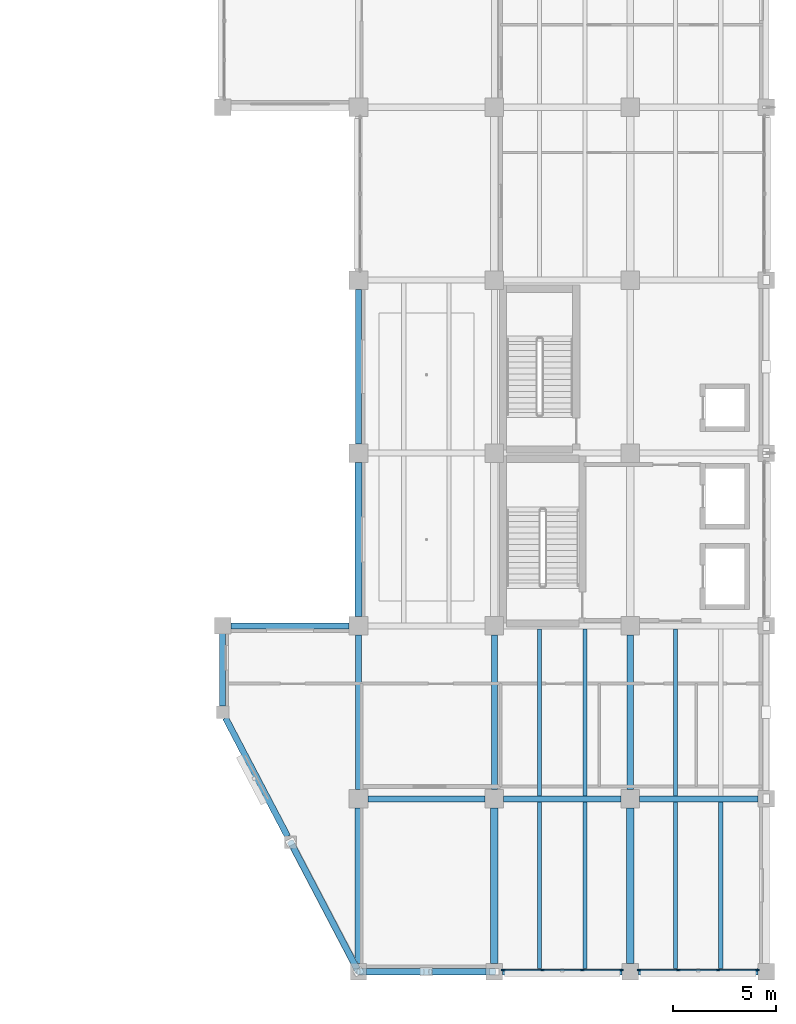
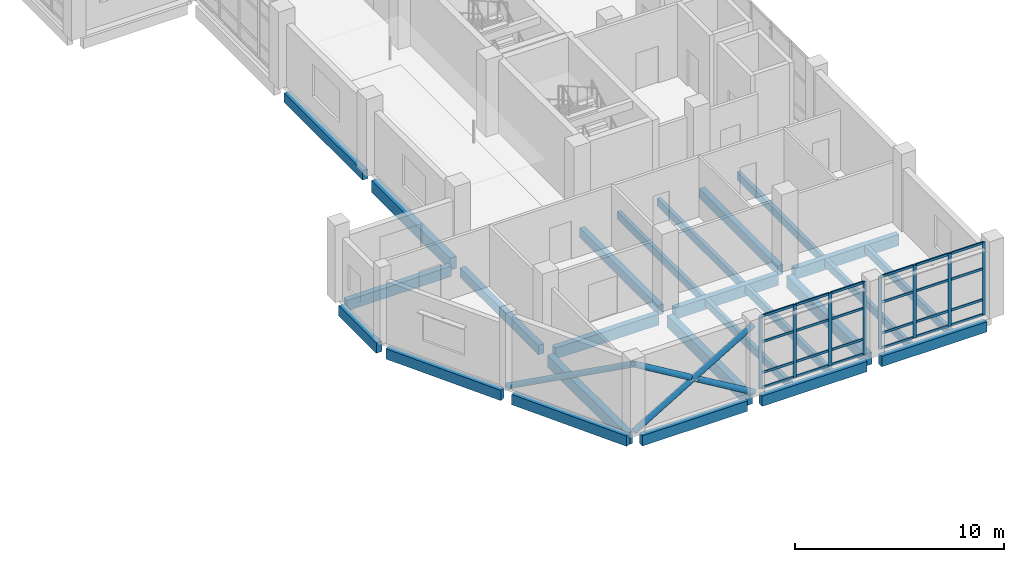
# One storey, part 17 of 76: 36 members, 25 beams, 2 elements without a shape of their own.
"""IFC4 building model written with IfcOpenShell, lengths in metres."""

from ifc_helpers import new_model, si_unit, direction, frame, origin, origin_2d, place, context, subcontext, project, spatial, rectangle, hollow_circle, extrude, material, material_profile, profile_set, type_object, element, aggregate, save


model = new_model("IFC4")

# Units and contexts
model_context = context("Model", 3, precision=1e-05, world=origin(), true_north=direction((0.0, 1.0)))
body_context = subcontext(model_context, "Body", "Model", "MODEL_VIEW")
ifc_project = project(units=[si_unit("LENGTHUNIT", "METRE"), si_unit("AREAUNIT", "SQUARE_METRE"), si_unit("VOLUMEUNIT", "CUBIC_METRE"), si_unit("PLANEANGLEUNIT", "RADIAN"), si_unit("MASSUNIT", "GRAM", prefix="KILO")], contexts=[model_context])

# Site, building, storey
site_placement = place(None, origin())
site = spatial("IfcSite", under=ifc_project, at=site_placement, CompositionType="ELEMENT")
building_placement = place(site_placement, origin())
building = spatial("IfcBuilding", under=site, at=building_placement, Name="Qaldarim Faculty of Natural and Applied Sciences", CompositionType="ELEMENT")
storey_placement = place(building_placement, frame((0.0, 0.0, 9.89990234375)))
storey = spatial("IfcBuildingStorey", under=building, at=storey_placement, Name="L02", CompositionType="ELEMENT", Elevation=9.89990234375)

# Beams
ifc_material_1 = material(Name="Concrete C40/50", Category="concrete")
ifc_material_profile_1 = material_profile(ifc_material_1, rectangle(XDim=0.300048828125, YDim=0.550048828125, at=origin_2d()), Name="RC-B300x550")
ifc_profile_set_1 = profile_set([ifc_material_profile_1], Name="Concrete C40/50")
beam_type_1 = type_object("IfcBeamType", Name="FloorBeam-RC300x550", PredefinedType="BEAM", material=ifc_profile_set_1)
for number, where, z_axis, x_axis, name in (
    (1, (158.39990234375, 8.85009765625, -0.574951171875), (0.0, 1.0, 0.0), (-1.0, 0.0, 0.0), "Beam RC-B300x550 L01 X25/Y02-Y03"),
    (2, (158.39990234375, 25.64990234375, -0.574951171875), (0.0, 1.0, 0.0), (-1.0, 0.0, 0.0), "Beam RC-B300x550 L01 X25/Y04-Y05"),
    (3, (165.0, 8.85009765625, -0.574951171875), (0.0, 1.0, 0.0), (-1.0, 0.0, 0.0), "Beam RC-B300x550 L01 X26/Y02-Y03"),
    (4, (171.60009765625, 8.85009765625, -0.574951171875), (0.0, 1.0, 0.0), (-1.0, 0.0, 0.0), "Beam RC-B300x550 L01 X27/Y02-Y03"),
):
    element("IfcBeam", number, at=place(storey_placement, frame(where, z_axis=z_axis, x_axis=x_axis)), inside=storey, type_object=beam_type_1, Name=name, PredefinedType="BEAM", context=body_context, shape_type="SweptSolid", body=[
        extrude(rectangle(XDim=0.300048828125, YDim=0.550048828125, at=origin_2d()), origin(), (0.0, 0.0, 1.0), 7.5),
    ])
ifc_material_profile_2 = material_profile(ifc_material_1, rectangle(XDim=0.199951171875, YDim=0.449951171875, at=origin_2d()), Name="RC-J200x450")
ifc_profile_set_2 = profile_set([ifc_material_profile_2], Name="Concrete C40/50")
beam_type_2 = type_object("IfcBeamType", Name="LabJoist-RC200x450", PredefinedType="JOIST", material=ifc_profile_set_2)
for number, where, z_axis, x_axis, name in (
    (5, (167.199951171875, 0.14990234375, -0.52490234375), (0.0, 1.0, 0.0), (-1.0, 0.0, 0.0), "Laboratory joist L01 bay X26Y01-1"),
    (6, (169.39990234375, 0.14990234375, -0.52490234375), (0.0, 1.0, 0.0), (-1.0, 0.0, 0.0), "Laboratory joist L01 bay X26Y01-2"),
):
    element("IfcBeam", number, at=place(storey_placement, frame(where, z_axis=z_axis, x_axis=x_axis)), inside=storey, type_object=beam_type_2, Name=name, PredefinedType="JOIST", context=body_context, shape_type="SweptSolid", body=[
        extrude(rectangle(XDim=0.199951171875, YDim=0.449951171875, at=origin_2d()), origin(), (0.0, 0.0, 1.0), 8.10009765625),
    ])
for number, where, z_axis, x_axis, name in (
    (7, (167.199951171875, 8.550048828125, -0.52490234375), (0.0, 1.0, 0.0), (-1.0, 0.0, 0.0), "Laboratory joist L01 bay X26Y02-1"),
    (8, (169.39990234375, 8.550048828125, -0.52490234375), (0.0, 1.0, 0.0), (-1.0, 0.0, 0.0), "Laboratory joist L01 bay X26Y02-2"),
):
    element("IfcBeam", number, at=place(storey_placement, frame(where, z_axis=z_axis, x_axis=x_axis)), inside=storey, type_object=beam_type_2, Name=name, PredefinedType="JOIST", context=body_context, shape_type="SweptSolid", body=[
        extrude(rectangle(XDim=0.199951171875, YDim=0.449951171875, at=origin_2d()), origin(), (0.0, 0.0, 1.0), 8.099853515625),
    ])
for number, where, z_axis, x_axis, name in (
    (9, (173.800048828125, 0.14990234375, -0.52490234375), (0.0, 1.0, 0.0), (-1.0, 0.0, 0.0), "Laboratory joist L01 bay X27Y01-1"),
    (10, (176.0, 0.14990234375, -0.52490234375), (0.0, 1.0, 0.0), (-1.0, 0.0, 0.0), "Laboratory joist L01 bay X27Y01-2"),
):
    element("IfcBeam", number, at=place(storey_placement, frame(where, z_axis=z_axis, x_axis=x_axis)), inside=storey, type_object=beam_type_2, Name=name, PredefinedType="JOIST", context=body_context, shape_type="SweptSolid", body=[
        extrude(rectangle(XDim=0.199951171875, YDim=0.449951171875, at=origin_2d()), origin(), (0.0, 0.0, 1.0), 8.10009765625),
    ])
beam_1_placement = place(storey_placement, frame((173.800048828125, 8.550048828125, -0.52490234375), z_axis=(0.0, 1.0, 0.0), x_axis=(-1.0, 0.0, 0.0)))
element("IfcBeam", 11, at=beam_1_placement, inside=storey, type_object=beam_type_2, Name="Laboratory joist L01 bay X27Y02-1", PredefinedType="JOIST", context=body_context, shape_type="SweptSolid", body=[
    extrude(rectangle(XDim=0.199951171875, YDim=0.449951171875, at=origin_2d()), origin(), (0.0, 0.0, 1.0), 8.099853515625),
])

# Members
ifc_material_2 = material(Name="Structural steel S355", Category="steel")
ifc_material_profile_3 = material_profile(ifc_material_2, hollow_circle(Radius=0.161865234375, WallThickness=0.02001953125, at=origin_2d()), Name="CHS 323.9x20.0")
ifc_profile_set_3 = profile_set([ifc_material_profile_3], Name="Structural steel S355")
member_type_1 = type_object("IfcMemberType", Name="LowerWingBrace-CHS323-9x20", PredefinedType="BRACE", material=ifc_profile_set_3)
member_1_placement = place(storey_placement, frame((158.39990234375, 0.0, 0.0), z_axis=(0.858631418117, 0.0, 0.512593491788), x_axis=(0.0, 1.0, 0.0)))
element("IfcMember", 12, at=member_1_placement, inside=storey, type_object=member_type_1, Name="South diagrid L02 primary brace L", PredefinedType="BRACE", context=body_context, shape_type="SweptSolid", body=[
    extrude(hollow_circle(Radius=0.161865234375, WallThickness=0.02001953125, at=origin_2d()), origin(), (0.0, 0.0, 1.0), 7.686767578125),
])
for number, where, z_axis, x_axis, name in (
    (13, (165.0, 0.0, 0.0), (-0.858840318954, 0.0, 0.512243405559), (0.0, -1.0, 0.0), "South diagrid L02 split secondary lower brace R1"),
    (14, (161.510009765625, 0.0, 2.085205078125), (-0.858840318954, 0.0, 0.512243405559), (0.0, -1.0, 0.0), "South diagrid L02 split secondary upper brace R2"),
):
    element("IfcMember", number, at=place(storey_placement, frame(where, z_axis=z_axis, x_axis=x_axis)), inside=storey, type_object=member_type_1, Name=name, PredefinedType="BRACE", context=body_context, shape_type="SweptSolid", body=[
        extrude(hollow_circle(Radius=0.161865234375, WallThickness=0.02001953125, at=origin_2d()), origin(), (0.0, 0.0, 1.0), 3.621337890625),
    ])
member_2_placement = place(storey_placement, frame((155.10009765625, 6.300048828125, 0.0), z_axis=(0.40585704551, -0.774869862339, 0.484620217334), x_axis=(0.8858443012, 0.463982622554, 0.0)))
element("IfcMember", 15, at=member_2_placement, inside=storey, type_object=member_type_1, Name="Oblique SW chamfer exoskeleton brace L02 2", PredefinedType="BRACE", context=body_context, shape_type="SweptSolid", body=[
    extrude(hollow_circle(Radius=0.161865234375, WallThickness=0.02001953125, at=origin_2d()), origin(), (0.0, 0.0, 1.0), 8.13037109375),
])

# Curtain wall, members
ifc_material_3 = material(Name="Anodised aluminium AW-6063", Category="aluminium")
curtain_wall_type = type_object("IfcCurtainWallType", Name="CurtainWallSystem-M1700", PredefinedType="USERDEFINED", material=ifc_material_3)
curtain_wall_1_placement = place(storey_placement, origin())
curtain_wall_1 = element("IfcCurtainWall", 16, at=curtain_wall_1_placement, inside=storey, type_object=curtain_wall_type, Name="Curtain wall CW-L02-S-X26Y01", ObjectType="UNITISED FACADE", PredefinedType="USERDEFINED")
ifc_material_profile_4 = material_profile(ifc_material_3, rectangle(XDim=0.070068359375, YDim=0.179931640625, at=origin_2d()), Name="ALU-M70x180")
ifc_profile_set_4 = profile_set([ifc_material_profile_4], Name="Anodised aluminium AW-6063")
member_type_2 = type_object("IfcMemberType", Name="Mullion-ALU70x180", PredefinedType="MULLION", material=ifc_profile_set_4)
member_3_placement = place(storey_placement, frame((165.429931640625, 0.080078125, 0.0), z_axis=(0.0, 0.0, 1.0), x_axis=(0.0, 1.0, 0.0)))
member_3 = element("IfcMember", 17, at=member_3_placement, type_object=member_type_2, Name="Mullion 1 of CW-L02-S-X26Y01", PredefinedType="MULLION", context=body_context, shape_type="SweptSolid", body=[
    extrude(rectangle(XDim=0.070068359375, YDim=0.179931640625, at=origin_2d()), origin(), (0.0, 0.0, 1.0), 4.239990234375),
])
member_4_placement = place(storey_placement, frame((167.331787109375, 0.080078125, 0.0), z_axis=(0.0, 0.0, 1.0), x_axis=(0.0, 1.0, 0.0)))
member_4 = element("IfcMember", 18, at=member_4_placement, type_object=member_type_2, Name="Mullion 2 of CW-L02-S-X26Y01", PredefinedType="MULLION", context=body_context, shape_type="SweptSolid", body=[
    extrude(rectangle(XDim=0.070068359375, YDim=0.179931640625, at=origin_2d()), origin(), (0.0, 0.0, 1.0), 4.239990234375),
])
member_5_placement = place(storey_placement, frame((169.268310546875, 0.080078125, 0.0), z_axis=(0.0, 0.0, 1.0), x_axis=(0.0, 1.0, 0.0)))
member_5 = element("IfcMember", 19, at=member_5_placement, type_object=member_type_2, Name="Mullion 3 of CW-L02-S-X26Y01", PredefinedType="MULLION", context=body_context, shape_type="SweptSolid", body=[
    extrude(rectangle(XDim=0.070068359375, YDim=0.179931640625, at=origin_2d()), origin(), (0.0, 0.0, 1.0), 4.239990234375),
])
member_6_placement = place(storey_placement, frame((171.169921875, 0.080078125, 0.0), z_axis=(0.0, 0.0, 1.0), x_axis=(0.0, 1.0, 0.0)))
member_6 = element("IfcMember", 20, at=member_6_placement, type_object=member_type_2, Name="Mullion 4 of CW-L02-S-X26Y01", PredefinedType="MULLION", context=body_context, shape_type="SweptSolid", body=[
    extrude(rectangle(XDim=0.070068359375, YDim=0.179931640625, at=origin_2d()), origin(), (0.0, 0.0, 1.0), 4.239990234375),
])

curtain_wall_2_placement = place(storey_placement, origin())
curtain_wall_2 = element("IfcCurtainWall", 21, at=curtain_wall_2_placement, inside=storey, type_object=curtain_wall_type, Name="Curtain wall CW-L02-S-X27Y01", ObjectType="UNITISED FACADE", PredefinedType="USERDEFINED")
member_7_placement = place(storey_placement, frame((172.030029296875, 0.080078125, 0.0), z_axis=(0.0, 0.0, 1.0), x_axis=(0.0, 1.0, 0.0)))
member_7 = element("IfcMember", 22, at=member_7_placement, type_object=member_type_2, Name="Mullion 1 of CW-L02-S-X27Y01", PredefinedType="MULLION", context=body_context, shape_type="SweptSolid", body=[
    extrude(rectangle(XDim=0.070068359375, YDim=0.179931640625, at=origin_2d()), origin(), (0.0, 0.0, 1.0), 4.239990234375),
])
member_8_placement = place(storey_placement, frame((173.931640625, 0.080078125, 0.0), z_axis=(0.0, 0.0, 1.0), x_axis=(0.0, 1.0, 0.0)))
member_8 = element("IfcMember", 23, at=member_8_placement, type_object=member_type_2, Name="Mullion 2 of CW-L02-S-X27Y01", PredefinedType="MULLION", context=body_context, shape_type="SweptSolid", body=[
    extrude(rectangle(XDim=0.070068359375, YDim=0.179931640625, at=origin_2d()), origin(), (0.0, 0.0, 1.0), 4.239990234375),
])
member_9_placement = place(storey_placement, frame((175.868408203125, 0.080078125, 0.0), z_axis=(0.0, 0.0, 1.0), x_axis=(0.0, 1.0, 0.0)))
member_9 = element("IfcMember", 24, at=member_9_placement, type_object=member_type_2, Name="Mullion 3 of CW-L02-S-X27Y01", PredefinedType="MULLION", context=body_context, shape_type="SweptSolid", body=[
    extrude(rectangle(XDim=0.070068359375, YDim=0.179931640625, at=origin_2d()), origin(), (0.0, 0.0, 1.0), 4.239990234375),
])
member_10_placement = place(storey_placement, frame((177.77001953125, 0.080078125, 0.0), z_axis=(0.0, 0.0, 1.0), x_axis=(0.0, 1.0, 0.0)))
member_10 = element("IfcMember", 25, at=member_10_placement, type_object=member_type_2, Name="Mullion 4 of CW-L02-S-X27Y01", PredefinedType="MULLION", context=body_context, shape_type="SweptSolid", body=[
    extrude(rectangle(XDim=0.070068359375, YDim=0.179931640625, at=origin_2d()), origin(), (0.0, 0.0, 1.0), 4.239990234375),
])

# Beams
ifc_material_profile_5 = material_profile(ifc_material_1, rectangle(XDim=0.300048828125, YDim=0.64990234375, at=origin_2d()), Name="RC-B300x650")
ifc_profile_set_5 = profile_set([ifc_material_profile_5], Name="Concrete C40/50")
beam_type_3 = type_object("IfcBeamType", Name="PrimaryBeam-RC300x650", PredefinedType="BEAM", material=ifc_profile_set_5)
for number, where, z_axis, x_axis, name in (
    (26, (158.85009765625, 8.39990234375, -0.625), (1.0, 0.0, 0.0), (0.0, 1.0, 0.0), "Beam RC-B300x650 L01 X25-X26/Y02"),
    (27, (165.449951171875, 8.39990234375, -0.625), (1.0, 0.0, 0.0), (0.0, 1.0, 0.0), "Beam RC-B300x650 L01 X26-X27/Y02"),
):
    element("IfcBeam", number, at=place(storey_placement, frame(where, z_axis=z_axis, x_axis=x_axis)), inside=storey, type_object=beam_type_3, Name=name, PredefinedType="BEAM", context=body_context, shape_type="SweptSolid", body=[
        extrude(rectangle(XDim=0.300048828125, YDim=0.64990234375, at=origin_2d()), origin(), (0.0, 0.0, 1.0), 5.699951171875),
    ])
beam_2_placement = place(storey_placement, frame((172.050048828125, 8.39990234375, -0.625), z_axis=(1.0, 0.0, 0.0), x_axis=(0.0, 1.0, 0.0)))
element("IfcBeam", 28, at=beam_2_placement, inside=storey, type_object=beam_type_3, Name="Beam RC-B300x650 L01 X27-X28/Y02", PredefinedType="BEAM", context=body_context, shape_type="SweptSolid", body=[
    extrude(rectangle(XDim=0.300048828125, YDim=0.64990234375, at=origin_2d()), origin(), (0.0, 0.0, 1.0), 5.75),
])
ifc_material_profile_6 = material_profile(ifc_material_1, rectangle(XDim=0.35009765625, YDim=0.699951171875, at=origin_2d()), Name="RC-B350x700")
ifc_profile_set_6 = profile_set([ifc_material_profile_6], Name="Concrete C40/50")
beam_type_4 = type_object("IfcBeamType", Name="PrimaryGirder-RC350x700", PredefinedType="BEAM", material=ifc_profile_set_6)
beam_3_placement = place(storey_placement, frame((158.39990234375, 0.39990234375, -0.64990234375), z_axis=(0.0, 1.0, 0.0), x_axis=(-1.0, 0.0, 0.0)))
element("IfcBeam", 29, at=beam_3_placement, inside=storey, type_object=beam_type_4, Name="Beam RC-B350x700 L01 X25/Y01-Y02", PredefinedType="BEAM", context=body_context, shape_type="SweptSolid", body=[
    extrude(rectangle(XDim=0.35009765625, YDim=0.699951171875, at=origin_2d()), origin(), (0.0, 0.0, 1.0), 7.550048828125),
])
beam_4_placement = place(storey_placement, frame((158.39990234375, 17.25, -0.64990234375), z_axis=(0.0, 1.0, 0.0), x_axis=(-1.0, 0.0, 0.0)))
element("IfcBeam", 30, at=beam_4_placement, inside=storey, type_object=beam_type_4, Name="Beam RC-B350x700 L01 X25/Y03-Y04", PredefinedType="BEAM", context=body_context, shape_type="SweptSolid", body=[
    extrude(rectangle(XDim=0.35009765625, YDim=0.699951171875, at=origin_2d()), origin(), (0.0, 0.0, 1.0), 7.5),
])
for number, where, z_axis, x_axis, name in (
    (31, (165.0, 0.39990234375, -0.64990234375), (0.0, 1.0, 0.0), (-1.0, 0.0, 0.0), "Beam RC-B350x700 L01 X26/Y01-Y02"),
    (32, (171.60009765625, 0.39990234375, -0.64990234375), (0.0, 1.0, 0.0), (-1.0, 0.0, 0.0), "Beam RC-B350x700 L01 X27/Y01-Y02"),
):
    element("IfcBeam", number, at=place(storey_placement, frame(where, z_axis=z_axis, x_axis=x_axis)), inside=storey, type_object=beam_type_4, Name=name, PredefinedType="BEAM", context=body_context, shape_type="SweptSolid", body=[
        extrude(rectangle(XDim=0.35009765625, YDim=0.699951171875, at=origin_2d()), origin(), (0.0, 0.0, 1.0), 7.550048828125),
    ])
ifc_material_4 = material(Name="Precast concrete C40/50", Category="concrete")
ifc_material_profile_7 = material_profile(ifc_material_4, rectangle(XDim=0.300048828125, YDim=0.60009765625, at=origin_2d()), Name="RC-SP300x600")
ifc_profile_set_7 = profile_set([ifc_material_profile_7], Name="Precast concrete C40/50")
beam_type_5 = type_object("IfcBeamType", Name="SpandrelBeam-RC300x600", PredefinedType="SPANDREL", material=ifc_profile_set_7)
for number, where, z_axis, x_axis, name in (
    (33, (158.800048828125, 0.0, -0.599853515625), (1.0, 0.0, 0.0), (0.0, 1.0, 0.0), "Beam RC-SP300x600 L01 X25-X26/Y01"),
    (34, (165.39990234375, 0.0, -0.599853515625), (1.0, 0.0, 0.0), (0.0, 1.0, 0.0), "Beam RC-SP300x600 L01 X26-X27/Y01"),
    (35, (172.0, 0.0, -0.599853515625), (1.0, 0.0, 0.0), (0.0, 1.0, 0.0), "Beam RC-SP300x600 L01 X27-X28/Y01"),
):
    element("IfcBeam", number, at=place(storey_placement, frame(where, z_axis=z_axis, x_axis=x_axis)), inside=storey, type_object=beam_type_5, Name=name, PredefinedType="SPANDREL", context=body_context, shape_type="SweptSolid", body=[
        extrude(rectangle(XDim=0.300048828125, YDim=0.60009765625, at=origin_2d()), origin(), (0.0, 0.0, 1.0), 5.800048828125),
    ])
beam_5_placement = place(storey_placement, frame((152.199951171875, 16.800048828125, -0.599853515625), z_axis=(1.0, 0.0, 0.0), x_axis=(0.0, 1.0, 0.0)))
element("IfcBeam", 36, at=beam_5_placement, inside=storey, type_object=beam_type_5, Name="Beam RC-SP300x600 L01 X24-X25/Y03", PredefinedType="SPANDREL", context=body_context, shape_type="SweptSolid", body=[
    extrude(rectangle(XDim=0.300048828125, YDim=0.60009765625, at=origin_2d()), origin(), (0.0, 0.0, 1.0), 5.75),
])
beam_6_placement = place(storey_placement, frame((151.800048828125, 16.5, -0.599853515625), z_axis=(0.0, -1.0, 0.0), x_axis=(1.0, 0.0, 0.0)))
element("IfcBeam", 37, at=beam_6_placement, inside=storey, type_object=beam_type_5, Name="Oblique SW chamfer spandrel L01 1", PredefinedType="SPANDREL", context=body_context, shape_type="SweptSolid", body=[
    extrude(rectangle(XDim=0.300048828125, YDim=0.60009765625, at=origin_2d()), origin(), (0.0, 0.0, 1.0), 3.60009765625),
])
for number, where, z_axis, x_axis, name in (
    (38, (151.93994140625, 12.330078125, -0.599853515625), (0.464353423794, -0.885649986061, 0.0), (0.885649986061, 0.464353423794, 0.0), "Oblique SW chamfer spandrel L01 2"),
    (39, (155.239990234375, 6.030029296875, -0.599853515625), (0.464353423794, -0.885649986061, 0.0), (0.885649986061, 0.464353423794, 0.0), "Oblique SW chamfer spandrel L01 3"),
):
    element("IfcBeam", number, at=place(storey_placement, frame(where, z_axis=z_axis, x_axis=x_axis)), inside=storey, type_object=beam_type_5, Name=name, PredefinedType="SPANDREL", context=body_context, shape_type="SweptSolid", body=[
        extrude(rectangle(XDim=0.300048828125, YDim=0.60009765625, at=origin_2d()), origin(), (0.0, 0.0, 1.0), 6.503662109375),
    ])

# Member
ifc_material_profile_8 = material_profile(ifc_material_3, rectangle(XDim=0.070068359375, YDim=0.139892578125, at=origin_2d()), Name="ALU-T70x140")
ifc_profile_set_8 = profile_set([ifc_material_profile_8], Name="Anodised aluminium AW-6063")
member_type_3 = type_object("IfcMemberType", Name="Transom-ALU70x140", PredefinedType="USERDEFINED", material=ifc_profile_set_8)
member_11_placement = place(storey_placement, frame((165.465087890625, 0.080078125, 0.03515625), z_axis=(1.0, 0.0, 0.0), x_axis=(0.0, 1.0, 0.0)))
member_11 = element("IfcMember", 40, at=member_11_placement, type_object=member_type_3, Name="Transom 1-1 of CW-L02-S-X26Y01", ObjectType="TRANSOM", PredefinedType="USERDEFINED", context=body_context, shape_type="SweptSolid", body=[
    extrude(rectangle(XDim=0.070068359375, YDim=0.139892578125, at=origin_2d()), origin(), (0.0, 0.0, 1.0), 1.83154296875),
])

member_12_placement = place(storey_placement, frame((165.465087890625, 0.080078125, 0.900146484375), z_axis=(1.0, 0.0, 0.0), x_axis=(0.0, 1.0, 0.0)))
member_12 = element("IfcMember", 41, at=member_12_placement, type_object=member_type_3, Name="Transom 1-2 of CW-L02-S-X26Y01", ObjectType="TRANSOM", PredefinedType="USERDEFINED", context=body_context, shape_type="SweptSolid", body=[
    extrude(rectangle(XDim=0.070068359375, YDim=0.139892578125, at=origin_2d()), origin(), (0.0, 0.0, 1.0), 1.83154296875),
])

member_13_placement = place(storey_placement, frame((165.465087890625, 0.080078125, 2.7001953125), z_axis=(1.0, 0.0, 0.0), x_axis=(0.0, 1.0, 0.0)))
member_13 = element("IfcMember", 42, at=member_13_placement, type_object=member_type_3, Name="Transom 1-3 of CW-L02-S-X26Y01", ObjectType="TRANSOM", PredefinedType="USERDEFINED", context=body_context, shape_type="SweptSolid", body=[
    extrude(rectangle(XDim=0.070068359375, YDim=0.139892578125, at=origin_2d()), origin(), (0.0, 0.0, 1.0), 1.83154296875),
])

member_14_placement = place(storey_placement, frame((165.465087890625, 0.080078125, 4.205078125), z_axis=(1.0, 0.0, 0.0), x_axis=(0.0, 1.0, 0.0)))
member_14 = element("IfcMember", 43, at=member_14_placement, type_object=member_type_3, Name="Transom 1-4 of CW-L02-S-X26Y01", ObjectType="TRANSOM", PredefinedType="USERDEFINED", context=body_context, shape_type="SweptSolid", body=[
    extrude(rectangle(XDim=0.070068359375, YDim=0.139892578125, at=origin_2d()), origin(), (0.0, 0.0, 1.0), 1.83154296875),
])

member_15_placement = place(storey_placement, frame((167.36669921875, 0.080078125, 0.03515625), z_axis=(1.0, 0.0, 0.0), x_axis=(0.0, 1.0, 0.0)))
member_15 = element("IfcMember", 44, at=member_15_placement, type_object=member_type_3, Name="Transom 2-1 of CW-L02-S-X26Y01", ObjectType="TRANSOM", PredefinedType="USERDEFINED", context=body_context, shape_type="SweptSolid", body=[
    extrude(rectangle(XDim=0.070068359375, YDim=0.139892578125, at=origin_2d()), origin(), (0.0, 0.0, 1.0), 1.86669921875),
])

member_16_placement = place(storey_placement, frame((167.36669921875, 0.080078125, 0.900146484375), z_axis=(1.0, 0.0, 0.0), x_axis=(0.0, 1.0, 0.0)))
member_16 = element("IfcMember", 45, at=member_16_placement, type_object=member_type_3, Name="Transom 2-2 of CW-L02-S-X26Y01", ObjectType="TRANSOM", PredefinedType="USERDEFINED", context=body_context, shape_type="SweptSolid", body=[
    extrude(rectangle(XDim=0.070068359375, YDim=0.139892578125, at=origin_2d()), origin(), (0.0, 0.0, 1.0), 1.86669921875),
])

member_17_placement = place(storey_placement, frame((167.36669921875, 0.080078125, 2.7001953125), z_axis=(1.0, 0.0, 0.0), x_axis=(0.0, 1.0, 0.0)))
member_17 = element("IfcMember", 46, at=member_17_placement, type_object=member_type_3, Name="Transom 2-3 of CW-L02-S-X26Y01", ObjectType="TRANSOM", PredefinedType="USERDEFINED", context=body_context, shape_type="SweptSolid", body=[
    extrude(rectangle(XDim=0.070068359375, YDim=0.139892578125, at=origin_2d()), origin(), (0.0, 0.0, 1.0), 1.86669921875),
])

member_18_placement = place(storey_placement, frame((167.36669921875, 0.080078125, 4.205078125), z_axis=(1.0, 0.0, 0.0), x_axis=(0.0, 1.0, 0.0)))
member_18 = element("IfcMember", 47, at=member_18_placement, type_object=member_type_3, Name="Transom 2-4 of CW-L02-S-X26Y01", ObjectType="TRANSOM", PredefinedType="USERDEFINED", context=body_context, shape_type="SweptSolid", body=[
    extrude(rectangle(XDim=0.070068359375, YDim=0.139892578125, at=origin_2d()), origin(), (0.0, 0.0, 1.0), 1.86669921875),
])

member_19_placement = place(storey_placement, frame((169.30322265625, 0.080078125, 0.03515625), z_axis=(1.0, 0.0, 0.0), x_axis=(0.0, 1.0, 0.0)))
member_19 = element("IfcMember", 48, at=member_19_placement, type_object=member_type_3, Name="Transom 3-1 of CW-L02-S-X26Y01", ObjectType="TRANSOM", PredefinedType="USERDEFINED", context=body_context, shape_type="SweptSolid", body=[
    extrude(rectangle(XDim=0.070068359375, YDim=0.139892578125, at=origin_2d()), origin(), (0.0, 0.0, 1.0), 1.831787109375),
])

member_20_placement = place(storey_placement, frame((169.30322265625, 0.080078125, 0.900146484375), z_axis=(1.0, 0.0, 0.0), x_axis=(0.0, 1.0, 0.0)))
member_20 = element("IfcMember", 49, at=member_20_placement, type_object=member_type_3, Name="Transom 3-2 of CW-L02-S-X26Y01", ObjectType="TRANSOM", PredefinedType="USERDEFINED", context=body_context, shape_type="SweptSolid", body=[
    extrude(rectangle(XDim=0.070068359375, YDim=0.139892578125, at=origin_2d()), origin(), (0.0, 0.0, 1.0), 1.831787109375),
])

member_21_placement = place(storey_placement, frame((169.30322265625, 0.080078125, 2.7001953125), z_axis=(1.0, 0.0, 0.0), x_axis=(0.0, 1.0, 0.0)))
member_21 = element("IfcMember", 50, at=member_21_placement, type_object=member_type_3, Name="Transom 3-3 of CW-L02-S-X26Y01", ObjectType="TRANSOM", PredefinedType="USERDEFINED", context=body_context, shape_type="SweptSolid", body=[
    extrude(rectangle(XDim=0.070068359375, YDim=0.139892578125, at=origin_2d()), origin(), (0.0, 0.0, 1.0), 1.831787109375),
])

member_22_placement = place(storey_placement, frame((169.30322265625, 0.080078125, 4.205078125), z_axis=(1.0, 0.0, 0.0), x_axis=(0.0, 1.0, 0.0)))
member_22 = element("IfcMember", 51, at=member_22_placement, type_object=member_type_3, Name="Transom 3-4 of CW-L02-S-X26Y01", ObjectType="TRANSOM", PredefinedType="USERDEFINED", context=body_context, shape_type="SweptSolid", body=[
    extrude(rectangle(XDim=0.070068359375, YDim=0.139892578125, at=origin_2d()), origin(), (0.0, 0.0, 1.0), 1.831787109375),
])

aggregate(curtain_wall_1, [member_3, member_4, member_5, member_6, member_11, member_12, member_13, member_14, member_15, member_16, member_17, member_18, member_19, member_20, member_21, member_22])

member_23_placement = place(storey_placement, frame((172.06494140625, 0.080078125, 0.03515625), z_axis=(1.0, 0.0, 0.0), x_axis=(0.0, 1.0, 0.0)))
member_23 = element("IfcMember", 52, at=member_23_placement, type_object=member_type_3, Name="Transom 1-1 of CW-L02-S-X27Y01", ObjectType="TRANSOM", PredefinedType="USERDEFINED", context=body_context, shape_type="SweptSolid", body=[
    extrude(rectangle(XDim=0.070068359375, YDim=0.139892578125, at=origin_2d()), origin(), (0.0, 0.0, 1.0), 1.831787109375),
])

member_24_placement = place(storey_placement, frame((172.06494140625, 0.080078125, 0.900146484375), z_axis=(1.0, 0.0, 0.0), x_axis=(0.0, 1.0, 0.0)))
member_24 = element("IfcMember", 53, at=member_24_placement, type_object=member_type_3, Name="Transom 1-2 of CW-L02-S-X27Y01", ObjectType="TRANSOM", PredefinedType="USERDEFINED", context=body_context, shape_type="SweptSolid", body=[
    extrude(rectangle(XDim=0.070068359375, YDim=0.139892578125, at=origin_2d()), origin(), (0.0, 0.0, 1.0), 1.831787109375),
])

member_25_placement = place(storey_placement, frame((172.06494140625, 0.080078125, 2.7001953125), z_axis=(1.0, 0.0, 0.0), x_axis=(0.0, 1.0, 0.0)))
member_25 = element("IfcMember", 54, at=member_25_placement, type_object=member_type_3, Name="Transom 1-3 of CW-L02-S-X27Y01", ObjectType="TRANSOM", PredefinedType="USERDEFINED", context=body_context, shape_type="SweptSolid", body=[
    extrude(rectangle(XDim=0.070068359375, YDim=0.139892578125, at=origin_2d()), origin(), (0.0, 0.0, 1.0), 1.831787109375),
])

member_26_placement = place(storey_placement, frame((172.06494140625, 0.080078125, 4.205078125), z_axis=(1.0, 0.0, 0.0), x_axis=(0.0, 1.0, 0.0)))
member_26 = element("IfcMember", 55, at=member_26_placement, type_object=member_type_3, Name="Transom 1-4 of CW-L02-S-X27Y01", ObjectType="TRANSOM", PredefinedType="USERDEFINED", context=body_context, shape_type="SweptSolid", body=[
    extrude(rectangle(XDim=0.070068359375, YDim=0.139892578125, at=origin_2d()), origin(), (0.0, 0.0, 1.0), 1.831787109375),
])

member_27_placement = place(storey_placement, frame((173.966796875, 0.080078125, 0.03515625), z_axis=(1.0, 0.0, 0.0), x_axis=(0.0, 1.0, 0.0)))
member_27 = element("IfcMember", 56, at=member_27_placement, type_object=member_type_3, Name="Transom 2-1 of CW-L02-S-X27Y01", ObjectType="TRANSOM", PredefinedType="USERDEFINED", context=body_context, shape_type="SweptSolid", body=[
    extrude(rectangle(XDim=0.070068359375, YDim=0.139892578125, at=origin_2d()), origin(), (0.0, 0.0, 1.0), 1.866455078125),
])

member_28_placement = place(storey_placement, frame((173.966796875, 0.080078125, 0.900146484375), z_axis=(1.0, 0.0, 0.0), x_axis=(0.0, 1.0, 0.0)))
member_28 = element("IfcMember", 57, at=member_28_placement, type_object=member_type_3, Name="Transom 2-2 of CW-L02-S-X27Y01", ObjectType="TRANSOM", PredefinedType="USERDEFINED", context=body_context, shape_type="SweptSolid", body=[
    extrude(rectangle(XDim=0.070068359375, YDim=0.139892578125, at=origin_2d()), origin(), (0.0, 0.0, 1.0), 1.866455078125),
])

member_29_placement = place(storey_placement, frame((173.966796875, 0.080078125, 2.7001953125), z_axis=(1.0, 0.0, 0.0), x_axis=(0.0, 1.0, 0.0)))
member_29 = element("IfcMember", 58, at=member_29_placement, type_object=member_type_3, Name="Transom 2-3 of CW-L02-S-X27Y01", ObjectType="TRANSOM", PredefinedType="USERDEFINED", context=body_context, shape_type="SweptSolid", body=[
    extrude(rectangle(XDim=0.070068359375, YDim=0.139892578125, at=origin_2d()), origin(), (0.0, 0.0, 1.0), 1.866455078125),
])

member_30_placement = place(storey_placement, frame((173.966796875, 0.080078125, 4.205078125), z_axis=(1.0, 0.0, 0.0), x_axis=(0.0, 1.0, 0.0)))
member_30 = element("IfcMember", 59, at=member_30_placement, type_object=member_type_3, Name="Transom 2-4 of CW-L02-S-X27Y01", ObjectType="TRANSOM", PredefinedType="USERDEFINED", context=body_context, shape_type="SweptSolid", body=[
    extrude(rectangle(XDim=0.070068359375, YDim=0.139892578125, at=origin_2d()), origin(), (0.0, 0.0, 1.0), 1.866455078125),
])

member_31_placement = place(storey_placement, frame((175.9033203125, 0.080078125, 0.03515625), z_axis=(1.0, 0.0, 0.0), x_axis=(0.0, 1.0, 0.0)))
member_31 = element("IfcMember", 60, at=member_31_placement, type_object=member_type_3, Name="Transom 3-1 of CW-L02-S-X27Y01", ObjectType="TRANSOM", PredefinedType="USERDEFINED", context=body_context, shape_type="SweptSolid", body=[
    extrude(rectangle(XDim=0.070068359375, YDim=0.139892578125, at=origin_2d()), origin(), (0.0, 0.0, 1.0), 1.831787109375),
])

member_32_placement = place(storey_placement, frame((175.9033203125, 0.080078125, 0.900146484375), z_axis=(1.0, 0.0, 0.0), x_axis=(0.0, 1.0, 0.0)))
member_32 = element("IfcMember", 61, at=member_32_placement, type_object=member_type_3, Name="Transom 3-2 of CW-L02-S-X27Y01", ObjectType="TRANSOM", PredefinedType="USERDEFINED", context=body_context, shape_type="SweptSolid", body=[
    extrude(rectangle(XDim=0.070068359375, YDim=0.139892578125, at=origin_2d()), origin(), (0.0, 0.0, 1.0), 1.831787109375),
])

member_33_placement = place(storey_placement, frame((175.9033203125, 0.080078125, 2.7001953125), z_axis=(1.0, 0.0, 0.0), x_axis=(0.0, 1.0, 0.0)))
member_33 = element("IfcMember", 62, at=member_33_placement, type_object=member_type_3, Name="Transom 3-3 of CW-L02-S-X27Y01", ObjectType="TRANSOM", PredefinedType="USERDEFINED", context=body_context, shape_type="SweptSolid", body=[
    extrude(rectangle(XDim=0.070068359375, YDim=0.139892578125, at=origin_2d()), origin(), (0.0, 0.0, 1.0), 1.831787109375),
])

member_34_placement = place(storey_placement, frame((175.9033203125, 0.080078125, 4.205078125), z_axis=(1.0, 0.0, 0.0), x_axis=(0.0, 1.0, 0.0)))
member_34 = element("IfcMember", 63, at=member_34_placement, type_object=member_type_3, Name="Transom 3-4 of CW-L02-S-X27Y01", ObjectType="TRANSOM", PredefinedType="USERDEFINED", context=body_context, shape_type="SweptSolid", body=[
    extrude(rectangle(XDim=0.070068359375, YDim=0.139892578125, at=origin_2d()), origin(), (0.0, 0.0, 1.0), 1.831787109375),
])

aggregate(curtain_wall_2, [member_7, member_8, member_9, member_10, member_23, member_24, member_25, member_26, member_27, member_28, member_29, member_30, member_31, member_32, member_33, member_34])

save(model, "model.ifc")
